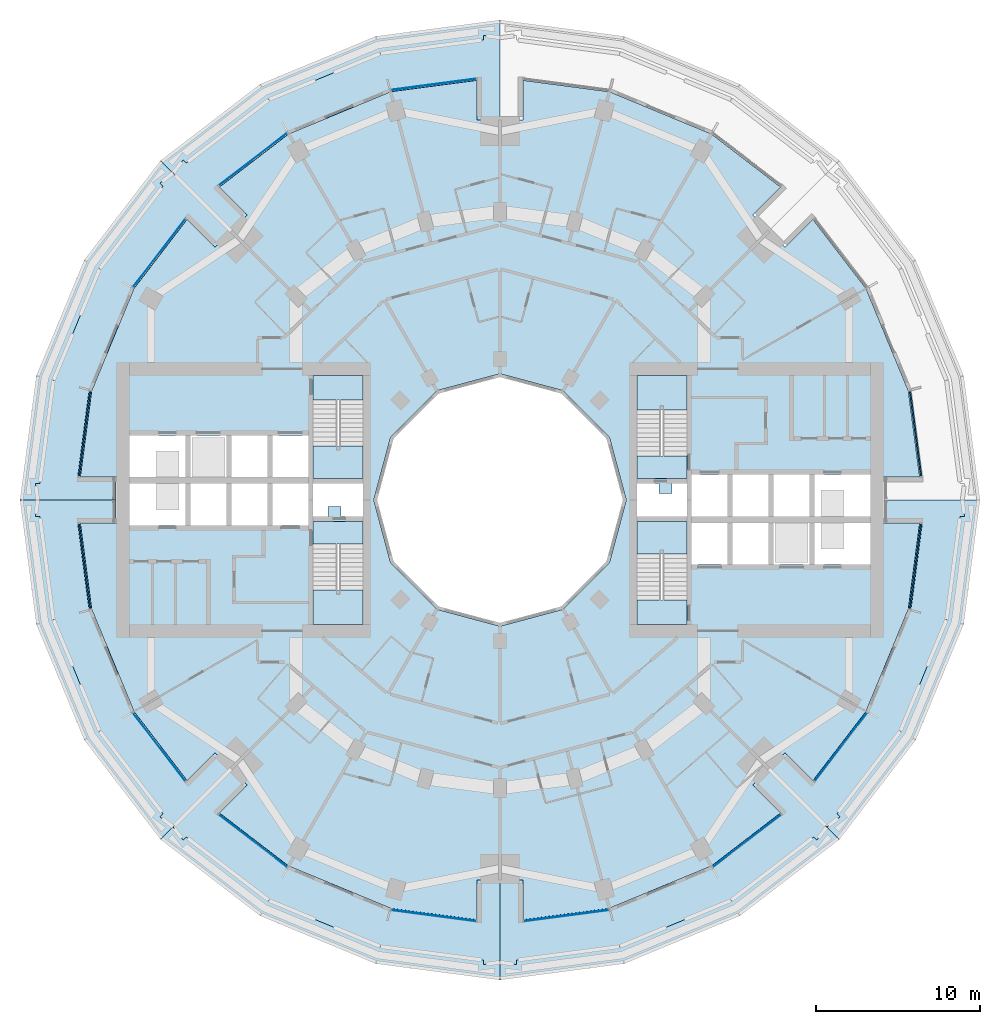
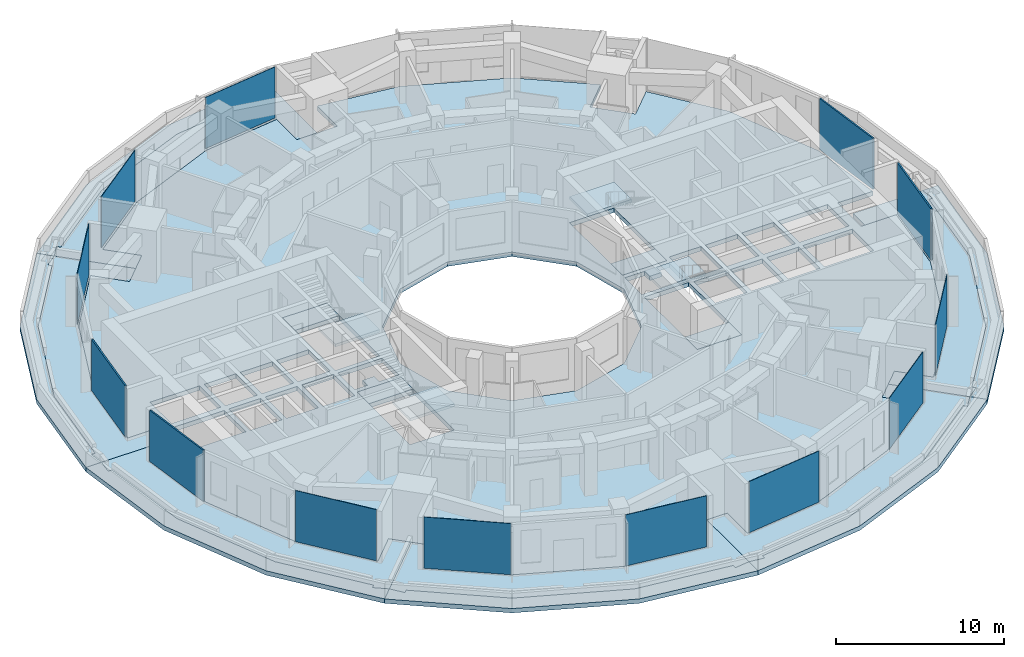
# One storey, part 8 of 19: 21 slabs, 13 plates, 17 elements without a shape of their own.
"""IFC4 building model written with IfcOpenShell, lengths in metres."""

from ifc_helpers import new_model, si_unit, direction, frame, origin, origin_2d, place, context, subcontext, project, spatial, polyline, rectangle, outline, extrude, material, layer, layer_set, type_object, element, aggregate, save


model = new_model("IFC4")

# Units and contexts
model_context = context("Model", 3, precision=1e-05, world=origin(), true_north=direction((0.0, 1.0)))
body_context = subcontext(model_context, "Body", "Model", "MODEL_VIEW")
ifc_project = project(units=[si_unit("LENGTHUNIT", "METRE"), si_unit("AREAUNIT", "SQUARE_METRE"), si_unit("VOLUMEUNIT", "CUBIC_METRE"), si_unit("PLANEANGLEUNIT", "RADIAN"), si_unit("MASSUNIT", "GRAM", prefix="KILO")], contexts=[model_context])

# Site, building, storey
site_placement = place(None, origin())
site = spatial("IfcSite", under=ifc_project, at=site_placement, CompositionType="ELEMENT")
building_placement = place(site_placement, origin())
building = spatial("IfcBuilding", under=site, at=building_placement, Name="Torre Brocal", CompositionType="ELEMENT")
storey_placement = place(building_placement, frame((0.0, 0.0, 28.800048828125)))
storey = spatial("IfcBuildingStorey", under=building, at=storey_placement, Name="L05", CompositionType="ELEMENT", Elevation=28.800048828125)

# Curtain wall, plate
ifc_material_1 = material(Name="Aluminium and glass", Category="aluminium")
ifc_layer_1 = layer(ifc_material_1, 0.199951171875)
ifc_layer_set_1 = layer_set([ifc_layer_1], Name="Aluminium and glass")
curtain_wall_type_1 = type_object("IfcCurtainWallType", Name="CW-1 CURTAIN WALL 3800 HIGH", PredefinedType="NOTDEFINED", material=ifc_layer_set_1)
curtain_wall_1_placement = place(storey_placement, origin())
curtain_wall_1 = element("IfcCurtainWall", 1, at=curtain_wall_1_placement, inside=storey, type_object=curtain_wall_type_1, Name="CW-1 RUN 7", PredefinedType="NOTDEFINED")
ifc_material_2 = material(Name="Glass, dark tinted laminated", Category="glass")
ifc_layer_2 = layer(ifc_material_2, 0.031982421875)
ifc_layer_set_2 = layer_set([ifc_layer_2], Name="Glass, dark tinted laminated")
plate_type_1 = type_object("IfcPlateType", Name="CW-1 GLASS PANEL 32", PredefinedType="CURTAIN_PANEL", material=ifc_layer_set_2)
plate_1_placement = place(storey_placement, frame((75.948486328125, 100.36572265625, 0.080078125), z_axis=(0.0, 0.0, 1.0), x_axis=(-0.991444861374, -0.13052619222, 0.0)))
plate_1 = element("IfcPlate", 2, at=plate_1_placement, type_object=plate_type_1, Name="CW1-1 panel 1.1", PredefinedType="CURTAIN_PANEL", context=body_context, shape_type="SweptSolid", body=[
    extrude(rectangle(XDim=5.22900390625, YDim=0.031982421875, at=origin_2d()), origin(), (0.0, 0.0, 1.0), 3.719970703125),
])
aggregate(curtain_wall_1, [plate_1])

curtain_wall_2_placement = place(storey_placement, origin())
curtain_wall_2 = element("IfcCurtainWall", 3, at=curtain_wall_2_placement, inside=storey, type_object=curtain_wall_type_1, Name="CW-1 RUN 9", PredefinedType="NOTDEFINED")
plate_2_placement = place(storey_placement, frame((64.9287109375, 95.80126953125, 0.080078125), z_axis=(0.0, 0.0, 1.0), x_axis=(-0.793353340259, -0.60876142905, 0.0)))
plate_2 = element("IfcPlate", 4, at=plate_2_placement, type_object=plate_type_1, Name="CW1-1 panel 1.1", PredefinedType="CURTAIN_PANEL", context=body_context, shape_type="SweptSolid", body=[
    extrude(rectangle(XDim=5.22900390625, YDim=0.031982421875, at=origin_2d()), origin(), (0.0, 0.0, 1.0), 3.719970703125),
])
aggregate(curtain_wall_2, [plate_2])

curtain_wall_3_placement = place(storey_placement, origin())
curtain_wall_3 = element("IfcCurtainWall", 5, at=curtain_wall_3_placement, inside=storey, type_object=curtain_wall_type_1, Name="CW-1 RUN 10", PredefinedType="NOTDEFINED")
plate_3_placement = place(storey_placement, frame((59.19873046875, 90.0712890625, 0.080078125), z_axis=(0.0, 0.0, 1.0), x_axis=(-0.60876142905, -0.793353340259, 0.0)))
plate_3 = element("IfcPlate", 6, at=plate_3_placement, type_object=plate_type_1, Name="CW1-1 panel 1.1", PredefinedType="CURTAIN_PANEL", context=body_context, shape_type="SweptSolid", body=[
    extrude(rectangle(XDim=5.22900390625, YDim=0.031982421875, at=origin_2d()), origin(), (0.0, 0.0, 1.0), 3.719970703125),
])
aggregate(curtain_wall_3, [plate_3])

curtain_wall_4_placement = place(storey_placement, origin())
curtain_wall_4 = element("IfcCurtainWall", 7, at=curtain_wall_4_placement, inside=storey, type_object=curtain_wall_type_1, Name="CW-1 RUN 15", PredefinedType="NOTDEFINED")
plate_4_placement = place(storey_placement, frame((59.19873046875, 59.9287109375, 0.080078125), z_axis=(0.0, 0.0, 1.0), x_axis=(0.60876142905, -0.793353340259, 0.0)))
plate_4 = element("IfcPlate", 8, at=plate_4_placement, type_object=plate_type_1, Name="CW1-1 panel 1.1", PredefinedType="CURTAIN_PANEL", context=body_context, shape_type="SweptSolid", body=[
    extrude(rectangle(XDim=5.22900390625, YDim=0.031982421875, at=origin_2d()), origin(), (0.0, 0.0, 1.0), 3.719970703125),
])
aggregate(curtain_wall_4, [plate_4])

curtain_wall_5_placement = place(storey_placement, origin())
curtain_wall_5 = element("IfcCurtainWall", 9, at=curtain_wall_5_placement, inside=storey, type_object=curtain_wall_type_1, Name="CW-1 RUN 16", PredefinedType="NOTDEFINED")
plate_5_placement = place(storey_placement, frame((64.9287109375, 54.19873046875, 0.080078125), z_axis=(0.0, 0.0, 1.0), x_axis=(0.793353340259, -0.60876142905, 0.0)))
plate_5 = element("IfcPlate", 10, at=plate_5_placement, type_object=plate_type_1, Name="CW1-1 panel 1.1", PredefinedType="CURTAIN_PANEL", context=body_context, shape_type="SweptSolid", body=[
    extrude(rectangle(XDim=5.22900390625, YDim=0.031982421875, at=origin_2d()), origin(), (0.0, 0.0, 1.0), 3.719970703125),
])
aggregate(curtain_wall_5, [plate_5])

curtain_wall_6_placement = place(storey_placement, origin())
curtain_wall_6 = element("IfcCurtainWall", 11, at=curtain_wall_6_placement, inside=storey, type_object=curtain_wall_type_1, Name="CW-1 RUN 18", PredefinedType="NOTDEFINED")
plate_6_placement = place(storey_placement, frame((75.948486328125, 49.63427734375, 0.080078125), z_axis=(0.0, 0.0, 1.0), x_axis=(0.991444861374, -0.13052619222, 0.0)))
plate_6 = element("IfcPlate", 12, at=plate_6_placement, type_object=plate_type_1, Name="CW1-1 panel 1.1", PredefinedType="CURTAIN_PANEL", context=body_context, shape_type="SweptSolid", body=[
    extrude(rectangle(XDim=5.22900390625, YDim=0.031982421875, at=origin_2d()), origin(), (0.0, 0.0, 1.0), 3.719970703125),
])
aggregate(curtain_wall_6, [plate_6])

curtain_wall_7_placement = place(storey_placement, origin())
curtain_wall_7 = element("IfcCurtainWall", 13, at=curtain_wall_7_placement, inside=storey, type_object=curtain_wall_type_1, Name="CW-1 RUN 19", PredefinedType="NOTDEFINED")
plate_7_placement = place(storey_placement, frame((84.051513671875, 49.63427734375, 0.080078125), z_axis=(0.0, 0.0, 1.0), x_axis=(0.991444861374, 0.13052619222, 0.0)))
plate_7 = element("IfcPlate", 14, at=plate_7_placement, type_object=plate_type_1, Name="CW1-1 panel 1.1", PredefinedType="CURTAIN_PANEL", context=body_context, shape_type="SweptSolid", body=[
    extrude(rectangle(XDim=5.22900390625, YDim=0.031982421875, at=origin_2d()), origin(), (0.0, 0.0, 1.0), 3.719970703125),
])
aggregate(curtain_wall_7, [plate_7])

curtain_wall_8_placement = place(storey_placement, origin())
curtain_wall_8 = element("IfcCurtainWall", 15, at=curtain_wall_8_placement, inside=storey, type_object=curtain_wall_type_1, Name="CW-1 RUN 21", PredefinedType="NOTDEFINED")
plate_8_placement = place(storey_placement, frame((95.0712890625, 54.19873046875, 0.080078125), z_axis=(0.0, 0.0, 1.0), x_axis=(0.793353340259, 0.60876142905, 0.0)))
plate_8 = element("IfcPlate", 16, at=plate_8_placement, type_object=plate_type_1, Name="CW1-1 panel 1.1", PredefinedType="CURTAIN_PANEL", context=body_context, shape_type="SweptSolid", body=[
    extrude(rectangle(XDim=5.22900390625, YDim=0.031982421875, at=origin_2d()), origin(), (0.0, 0.0, 1.0), 3.719970703125),
])
aggregate(curtain_wall_8, [plate_8])

curtain_wall_9_placement = place(storey_placement, origin())
curtain_wall_9 = element("IfcCurtainWall", 17, at=curtain_wall_9_placement, inside=storey, type_object=curtain_wall_type_1, Name="CW-1 RUN 22", PredefinedType="NOTDEFINED")
plate_9_placement = place(storey_placement, frame((100.80126953125, 59.9287109375, 0.080078125), z_axis=(0.0, 0.0, 1.0), x_axis=(0.60876142905, 0.793353340259, 0.0)))
plate_9 = element("IfcPlate", 18, at=plate_9_placement, type_object=plate_type_1, Name="CW1-1 panel 1.1", PredefinedType="CURTAIN_PANEL", context=body_context, shape_type="SweptSolid", body=[
    extrude(rectangle(XDim=5.22900390625, YDim=0.031982421875, at=origin_2d()), origin(), (0.0, 0.0, 1.0), 3.719970703125),
])
aggregate(curtain_wall_9, [plate_9])

ifc_material_3 = material(Name="Aluminium and glass", Category="aluminium")
ifc_layer_3 = layer(ifc_material_3, 0.199951171875)
ifc_layer_set_3 = layer_set([ifc_layer_3], Name="Aluminium and glass")
curtain_wall_type_2 = type_object("IfcCurtainWallType", Name="CW-1B CURTAIN WALL 3800 HIGH", PredefinedType="NOTDEFINED", material=ifc_layer_set_3)
curtain_wall_10_placement = place(storey_placement, origin())
curtain_wall_10 = element("IfcCurtainWall", 19, at=curtain_wall_10_placement, inside=storey, type_object=curtain_wall_type_2, Name="CW-1B RUN 1", PredefinedType="NOTDEFINED")
ifc_material_4 = material(Name="Aluminium composite panel", Category="aluminium")
ifc_layer_4 = layer(ifc_material_4, 0.10009765625)
ifc_layer_set_4 = layer_set([ifc_layer_4], Name="Aluminium composite panel")
plate_type_2 = type_object("IfcPlateType", Name="CW-1B OPAQUE PANEL 100", PredefinedType="CURTAIN_PANEL", material=ifc_layer_set_4)
plate_10_placement = place(storey_placement, frame((105.36572265625, 79.051513671875, 0.080078125), z_axis=(0.0, 0.0, 1.0), x_axis=(-0.13052619222, 0.991444861374, 0.0)))
plate_10 = element("IfcPlate", 20, at=plate_10_placement, type_object=plate_type_2, Name="CW1B-1 panel 1.1", PredefinedType="CURTAIN_PANEL", context=body_context, shape_type="SweptSolid", body=[
    extrude(rectangle(XDim=5.22900390625, YDim=0.10009765625, at=origin_2d()), origin(), (0.0, 0.0, 1.0), 3.719970703125),
])
aggregate(curtain_wall_10, [plate_10])

curtain_wall_11_placement = place(storey_placement, origin())
curtain_wall_11 = element("IfcCurtainWall", 21, at=curtain_wall_11_placement, inside=storey, type_object=curtain_wall_type_2, Name="CW-1B RUN 12", PredefinedType="NOTDEFINED")
plate_11_placement = place(storey_placement, frame((54.63427734375, 79.051513671875, 0.080078125), z_axis=(0.0, 0.0, 1.0), x_axis=(-0.13052619222, -0.991444861374, 0.0)))
plate_11 = element("IfcPlate", 22, at=plate_11_placement, type_object=plate_type_2, Name="CW1B-1 panel 1.1", PredefinedType="CURTAIN_PANEL", context=body_context, shape_type="SweptSolid", body=[
    extrude(rectangle(XDim=5.22900390625, YDim=0.10009765625, at=origin_2d()), origin(), (0.0, 0.0, 1.0), 3.719970703125),
])
aggregate(curtain_wall_11, [plate_11])

curtain_wall_12_placement = place(storey_placement, origin())
curtain_wall_12 = element("IfcCurtainWall", 23, at=curtain_wall_12_placement, inside=storey, type_object=curtain_wall_type_2, Name="CW-1B RUN 13", PredefinedType="NOTDEFINED")
plate_12_placement = place(storey_placement, frame((54.63427734375, 70.948486328125, 0.080078125), z_axis=(0.0, 0.0, 1.0), x_axis=(0.13052619222, -0.991444861374, 0.0)))
plate_12 = element("IfcPlate", 24, at=plate_12_placement, type_object=plate_type_2, Name="CW1B-1 panel 1.1", PredefinedType="CURTAIN_PANEL", context=body_context, shape_type="SweptSolid", body=[
    extrude(rectangle(XDim=5.22900390625, YDim=0.10009765625, at=origin_2d()), origin(), (0.0, 0.0, 1.0), 3.719970703125),
])
aggregate(curtain_wall_12, [plate_12])

curtain_wall_13_placement = place(storey_placement, origin())
curtain_wall_13 = element("IfcCurtainWall", 25, at=curtain_wall_13_placement, inside=storey, type_object=curtain_wall_type_2, Name="CW-1B RUN 24", PredefinedType="NOTDEFINED")
plate_13_placement = place(storey_placement, frame((105.36572265625, 70.948486328125, 0.080078125), z_axis=(0.0, 0.0, 1.0), x_axis=(0.13052619222, 0.991444861374, 0.0)))
plate_13 = element("IfcPlate", 26, at=plate_13_placement, type_object=plate_type_2, Name="CW1B-1 panel 1.1", PredefinedType="CURTAIN_PANEL", context=body_context, shape_type="SweptSolid", body=[
    extrude(rectangle(XDim=5.22900390625, YDim=0.10009765625, at=origin_2d()), origin(), (0.0, 0.0, 1.0), 3.719970703125),
])
aggregate(curtain_wall_13, [plate_13])

# Stair, slab
ifc_material_5 = material(Name="Concrete C50", Category="concrete")
stair_type = type_object("IfcStairType", Name="EXIT STAIR", PredefinedType="HALF_TURN_STAIR", material=ifc_material_5)
stair_1_placement = place(storey_placement, origin())
stair_1 = element("IfcStair", 27, at=stair_1_placement, inside=storey, type_object=stair_type, Name="EXIT STAIR ST1", PredefinedType="HALF_TURN_STAIR")
ifc_material_6 = material(Name="Concrete C50", Category="concrete")
ifc_layer_5 = layer(ifc_material_6, 0.320068359375)
ifc_layer_set_5 = layer_set([ifc_layer_5], Name="Concrete C50")
slab_type_1 = type_object("IfcSlabType", Name="FLOOR LANDING 320", PredefinedType="LANDING", material=ifc_layer_set_5)
slab_1_placement = place(storey_placement, frame((0.0, 0.0, -0.320068359375)))
slab_1 = element("IfcSlab", 28, at=slab_1_placement, type_object=slab_type_1, Name="ST1 landing 1", PredefinedType="LANDING", context=body_context, shape_type="SweptSolid", body=[
    extrude(outline(polyline([(88.35009765625, 76.300048828125), (91.39990234375, 76.300048828125), (91.39990234375, 77.699951171875), (88.35009765625, 77.699951171875), (88.35009765625, 76.300048828125)])), origin(), (0.0, 0.0, 1.0), 0.320068359375),
])

stair_2_placement = place(storey_placement, origin())
stair_2 = element("IfcStair", 29, at=stair_2_placement, inside=storey, type_object=stair_type, Name="EXIT STAIR ST2", PredefinedType="HALF_TURN_STAIR")
slab_2_placement = place(storey_placement, frame((0.0, 0.0, -0.320068359375)))
slab_2 = element("IfcSlab", 30, at=slab_2_placement, type_object=slab_type_1, Name="ST2 landing 1", PredefinedType="LANDING", context=body_context, shape_type="SweptSolid", body=[
    extrude(outline(polyline([(88.35009765625, 67.39990234375), (91.39990234375, 67.39990234375), (91.39990234375, 68.89990234375), (88.35009765625, 68.89990234375), (88.35009765625, 67.39990234375)])), origin(), (0.0, 0.0, 1.0), 0.320068359375),
])

stair_3_placement = place(storey_placement, origin())
stair_3 = element("IfcStair", 31, at=stair_3_placement, inside=storey, type_object=stair_type, Name="EXIT STAIR ST3", PredefinedType="HALF_TURN_STAIR")
slab_3_placement = place(storey_placement, frame((0.0, 0.0, -0.320068359375)))
slab_3 = element("IfcSlab", 32, at=slab_3_placement, type_object=slab_type_1, Name="ST3 landing 1", PredefinedType="LANDING", context=body_context, shape_type="SweptSolid", body=[
    extrude(outline(polyline([(71.64990234375, 73.699951171875), (68.60009765625, 73.699951171875), (68.60009765625, 72.300048828125), (71.64990234375, 72.300048828125), (71.64990234375, 73.699951171875)])), origin(), (0.0, 0.0, 1.0), 0.320068359375),
])

stair_4_placement = place(storey_placement, origin())
stair_4 = element("IfcStair", 33, at=stair_4_placement, inside=storey, type_object=stair_type, Name="EXIT STAIR ST4", PredefinedType="HALF_TURN_STAIR")
slab_4_placement = place(storey_placement, frame((0.0, 0.0, -0.320068359375)))
slab_4 = element("IfcSlab", 34, at=slab_4_placement, type_object=slab_type_1, Name="ST4 landing 1", PredefinedType="LANDING", context=body_context, shape_type="SweptSolid", body=[
    extrude(outline(polyline([(71.64990234375, 82.60009765625), (68.60009765625, 82.60009765625), (68.60009765625, 81.10009765625), (71.64990234375, 81.10009765625), (71.64990234375, 82.60009765625)])), origin(), (0.0, 0.0, 1.0), 0.320068359375),
])

# Slabs
ifc_material_7 = material(Name="Concrete C45", Category="concrete")
ifc_layer_6 = layer(ifc_material_7, 0.320068359375)
ifc_layer_set_6 = layer_set([ifc_layer_6], Name="Concrete C45")
slab_type_2 = type_object("IfcSlabType", Name="GREEN ROOF PLANTING BED SLAB 320 C45", PredefinedType="ROOF", material=ifc_layer_set_6)
slab_5_placement = place(storey_placement, frame((0.0, 0.0, -0.320068359375)))
element("IfcSlab", 35, at=slab_5_placement, inside=storey, type_object=slab_type_2, Name="Slab ST-07", PredefinedType="ROOF", context=body_context, shape_type="SweptSolid", body=[
    extrude(outline(polyline([(80.0, 104.29833984375), (80.0, 103.218994140625), (79.0, 103.3505859375), (79.0, 103.08740234375), (72.6962890625, 102.25732421875), (65.890625, 99.4384765625), (60.846435546875, 95.56787109375), (60.66015625, 95.754150390625), (60.046142578125, 94.953857421875), (59.282958984375, 95.717041015625), (65.350830078125, 100.373046875), (72.4169921875, 103.300048828125), (80.0, 104.29833984375)])), origin(), (0.0, 0.0, 1.0), 0.320068359375),
])
slab_6_placement = place(storey_placement, frame((0.0, 0.0, -0.320068359375)))
element("IfcSlab", 36, at=slab_6_placement, inside=storey, type_object=slab_type_2, Name="Slab ST-07", PredefinedType="ROOF", context=body_context, shape_type="SweptSolid", body=[
    extrude(outline(polyline([(59.282958984375, 95.717041015625), (60.046142578125, 94.953857421875), (59.245849609375, 94.33984375), (59.43212890625, 94.153564453125), (55.5615234375, 89.109375), (52.74267578125, 82.3037109375), (51.91259765625, 76.0), (51.6494140625, 76.0), (51.781005859375, 75.0), (50.70166015625, 75.0), (51.699951171875, 82.5830078125), (54.626953125, 89.649169921875), (59.282958984375, 95.717041015625)])), origin(), (0.0, 0.0, 1.0), 0.320068359375),
])
slab_7_placement = place(storey_placement, frame((0.0, 0.0, -0.320068359375)))
element("IfcSlab", 37, at=slab_7_placement, inside=storey, type_object=slab_type_2, Name="Slab ST-07", PredefinedType="ROOF", context=body_context, shape_type="SweptSolid", body=[
    extrude(outline(polyline([(50.70166015625, 75.0), (51.781005859375, 75.0), (51.6494140625, 74.0), (51.91259765625, 74.0), (52.74267578125, 67.6962890625), (55.5615234375, 60.890625), (59.43212890625, 55.846435546875), (59.245849609375, 55.66015625), (60.046142578125, 55.046142578125), (59.282958984375, 54.282958984375), (54.626953125, 60.350830078125), (51.699951171875, 67.4169921875), (50.70166015625, 75.0)])), origin(), (0.0, 0.0, 1.0), 0.320068359375),
])
slab_8_placement = place(storey_placement, frame((0.0, 0.0, -0.320068359375)))
element("IfcSlab", 38, at=slab_8_placement, inside=storey, type_object=slab_type_2, Name="Slab ST-07", PredefinedType="ROOF", context=body_context, shape_type="SweptSolid", body=[
    extrude(outline(polyline([(59.282958984375, 54.282958984375), (60.046142578125, 55.046142578125), (60.66015625, 54.245849609375), (60.846435546875, 54.43212890625), (65.890625, 50.5615234375), (72.6962890625, 47.74267578125), (79.0, 46.91259765625), (79.0, 46.6494140625), (80.0, 46.781005859375), (80.0, 45.70166015625), (72.4169921875, 46.699951171875), (65.350830078125, 49.626953125), (59.282958984375, 54.282958984375)])), origin(), (0.0, 0.0, 1.0), 0.320068359375),
])
slab_9_placement = place(storey_placement, frame((0.0, 0.0, -0.320068359375)))
element("IfcSlab", 39, at=slab_9_placement, inside=storey, type_object=slab_type_2, Name="Slab ST-07", PredefinedType="ROOF", context=body_context, shape_type="SweptSolid", body=[
    extrude(outline(polyline([(80.0, 45.70166015625), (80.0, 46.781005859375), (81.0, 46.6494140625), (81.0, 46.91259765625), (87.3037109375, 47.74267578125), (94.109375, 50.5615234375), (99.153564453125, 54.43212890625), (99.33984375, 54.245849609375), (99.953857421875, 55.046142578125), (100.717041015625, 54.282958984375), (94.649169921875, 49.626953125), (87.5830078125, 46.699951171875), (80.0, 45.70166015625)])), origin(), (0.0, 0.0, 1.0), 0.320068359375),
])
slab_10_placement = place(storey_placement, frame((0.0, 0.0, -0.320068359375)))
element("IfcSlab", 40, at=slab_10_placement, inside=storey, type_object=slab_type_2, Name="Slab ST-07", PredefinedType="ROOF", context=body_context, shape_type="SweptSolid", body=[
    extrude(outline(polyline([(100.754150390625, 55.66015625), (100.56787109375, 55.846435546875), (104.4384765625, 60.890625), (107.25732421875, 67.6962890625), (108.08740234375, 74.0), (108.3505859375, 74.0), (108.218994140625, 75.0), (109.29833984375, 75.0), (108.300048828125, 67.4169921875), (105.373046875, 60.350830078125), (100.717041015625, 54.282958984375), (99.953857421875, 55.046142578125), (100.754150390625, 55.66015625)])), origin(), (0.0, 0.0, 1.0), 0.320068359375),
])

# Slab
ifc_material_8 = material(Name="Concrete C50", Category="concrete")
ifc_layer_7 = layer(ifc_material_8, 0.199951171875)
ifc_layer_set_7 = layer_set([ifc_layer_7], Name="Concrete C50")
slab_type_3 = type_object("IfcSlabType", Name="MID LANDING +1900", PredefinedType="LANDING", material=ifc_layer_set_7)
slab_11_placement = place(storey_placement, frame((0.0, 0.0, 1.699951171875)))
slab_11 = element("IfcSlab", 41, at=slab_11_placement, type_object=slab_type_3, Name="ST1 landing 2", PredefinedType="LANDING", context=body_context, shape_type="SweptSolid", body=[
    extrude(outline(polyline([(88.35009765625, 80.5), (91.39990234375, 80.5), (91.39990234375, 82.60009765625), (88.35009765625, 82.60009765625), (88.35009765625, 80.5)])), origin(), (0.0, 0.0, 1.0), 0.199951171875),
])

aggregate(stair_1, [slab_1, slab_11])

slab_12_placement = place(storey_placement, frame((0.0, 0.0, 1.699951171875)))
slab_12 = element("IfcSlab", 42, at=slab_12_placement, type_object=slab_type_3, Name="ST2 landing 2", PredefinedType="LANDING", context=body_context, shape_type="SweptSolid", body=[
    extrude(outline(polyline([(88.35009765625, 71.699951171875), (91.39990234375, 71.699951171875), (91.39990234375, 73.699951171875), (88.35009765625, 73.699951171875), (88.35009765625, 71.699951171875)])), origin(), (0.0, 0.0, 1.0), 0.199951171875),
])

aggregate(stair_2, [slab_2, slab_12])

slab_13_placement = place(storey_placement, frame((0.0, 0.0, 1.699951171875)))
slab_13 = element("IfcSlab", 43, at=slab_13_placement, type_object=slab_type_3, Name="ST3 landing 2", PredefinedType="LANDING", context=body_context, shape_type="SweptSolid", body=[
    extrude(outline(polyline([(71.64990234375, 69.5), (68.60009765625, 69.5), (68.60009765625, 67.39990234375), (71.64990234375, 67.39990234375), (71.64990234375, 69.5)])), origin(), (0.0, 0.0, 1.0), 0.199951171875),
])

aggregate(stair_3, [slab_3, slab_13])

slab_14_placement = place(storey_placement, frame((0.0, 0.0, 1.699951171875)))
slab_14 = element("IfcSlab", 44, at=slab_14_placement, type_object=slab_type_3, Name="ST4 landing 2", PredefinedType="LANDING", context=body_context, shape_type="SweptSolid", body=[
    extrude(outline(polyline([(71.64990234375, 78.300048828125), (68.60009765625, 78.300048828125), (68.60009765625, 76.300048828125), (71.64990234375, 76.300048828125), (71.64990234375, 78.300048828125)])), origin(), (0.0, 0.0, 1.0), 0.199951171875),
])

aggregate(stair_4, [slab_4, slab_14])

# Slabs
ifc_material_9 = material(Name="Concrete C45", Category="concrete")
ifc_layer_8 = layer(ifc_material_9, 0.320068359375)
ifc_layer_set_8 = layer_set([ifc_layer_8], Name="Concrete C45")
slab_type_4 = type_object("IfcSlabType", Name="PT FLOOR SLAB 320 C45", PredefinedType="FLOOR", material=ifc_layer_set_8)
slab_15_placement = place(storey_placement, frame((0.0, 0.0, -0.320068359375)))
element("IfcSlab", 45, at=slab_15_placement, inside=storey, type_object=slab_type_4, Name="Slab ST-05", PredefinedType="FLOOR", context=body_context, shape_type="SweptSolid", body=[
    extrude(outline(polyline([(103.199951171875, 76.39990234375), (103.199951171875, 73.60009765625), (105.614013671875, 73.60009765625), (104.919189453125, 68.322998046875), (102.342041015625, 62.100830078125), (99.101806640625, 57.878173828125), (97.394775390625, 59.5849609375), (95.4150390625, 57.605224609375), (97.121826171875, 55.898193359375), (92.899169921875, 52.657958984375), (86.677001953125, 50.080810546875), (81.39990234375, 49.385986328125), (81.39990234375, 51.800048828125), (78.60009765625, 51.800048828125), (78.60009765625, 49.385986328125), (73.322998046875, 50.080810546875), (67.100830078125, 52.657958984375), (62.878173828125, 55.898193359375), (64.5849609375, 57.605224609375), (62.605224609375, 59.5849609375), (60.898193359375, 57.878173828125), (57.657958984375, 62.100830078125), (55.080810546875, 68.322998046875), (54.385986328125, 73.60009765625), (56.800048828125, 73.60009765625), (56.800048828125, 76.39990234375), (54.385986328125, 76.39990234375), (55.080810546875, 81.677001953125), (57.657958984375, 87.899169921875), (60.898193359375, 92.121826171875), (62.605224609375, 90.4150390625), (64.5849609375, 92.394775390625), (62.878173828125, 94.101806640625), (67.100830078125, 97.342041015625), (73.322998046875, 99.919189453125), (78.60009765625, 100.614013671875), (78.60009765625, 98.199951171875), (81.39990234375, 98.199951171875), (81.39990234375, 100.614013671875), (86.677001953125, 99.919189453125), (92.899169921875, 97.342041015625), (97.121826171875, 94.101806640625), (95.4150390625, 92.394775390625), (97.394775390625, 90.4150390625), (99.101806640625, 92.121826171875), (102.342041015625, 87.899169921875), (104.919189453125, 81.677001953125), (105.614013671875, 76.39990234375), (103.199951171875, 76.39990234375)]), holes=[polyline([(102.60009765625, 74.0), (102.60009765625, 76.550048828125), (99.199951171875, 76.550048828125), (99.199951171875, 74.0), (102.60009765625, 74.0)]), polyline([(102.60009765625, 71.050048828125), (102.60009765625, 73.60009765625), (99.199951171875, 73.60009765625), (99.199951171875, 71.050048828125), (102.60009765625, 71.050048828125)]), polyline([(98.89990234375, 76.550048828125), (96.699951171875, 76.550048828125), (96.699951171875, 74.0), (98.89990234375, 74.0), (98.89990234375, 76.550048828125)]), polyline([(98.89990234375, 71.050048828125), (98.89990234375, 73.60009765625), (96.699951171875, 73.60009765625), (96.699951171875, 71.050048828125), (98.89990234375, 71.050048828125)]), polyline([(96.39990234375, 73.60009765625), (94.199951171875, 73.60009765625), (94.199951171875, 71.050048828125), (96.39990234375, 71.050048828125), (96.39990234375, 73.60009765625)]), polyline([(96.39990234375, 74.0), (96.39990234375, 76.550048828125), (94.199951171875, 76.550048828125), (94.199951171875, 74.0), (96.39990234375, 74.0)]), polyline([(93.89990234375, 73.60009765625), (91.699951171875, 73.60009765625), (91.699951171875, 71.050048828125), (93.89990234375, 71.050048828125), (93.89990234375, 73.60009765625)]), polyline([(93.89990234375, 74.0), (93.89990234375, 76.550048828125), (91.699951171875, 76.550048828125), (91.699951171875, 74.0), (93.89990234375, 74.0)]), polyline([(91.39990234375, 76.300048828125), (91.39990234375, 82.60009765625), (88.35009765625, 82.60009765625), (88.35009765625, 76.300048828125), (91.39990234375, 76.300048828125)]), polyline([(91.39990234375, 73.699951171875), (88.35009765625, 73.699951171875), (88.35009765625, 67.39990234375), (91.39990234375, 67.39990234375), (91.39990234375, 73.699951171875)]), polyline([(89.699951171875, 76.0), (88.35009765625, 76.0), (88.35009765625, 74.0), (91.39990234375, 74.0), (91.39990234375, 76.0), (90.5, 76.0), (90.5, 75.39990234375), (89.699951171875, 75.39990234375), (89.699951171875, 76.0)]), polyline([(80.0, 82.70703125), (76.146484375, 81.674560546875), (73.325439453125, 78.853515625), (72.29296875, 75.0), (73.325439453125, 71.146484375), (76.146484375, 68.325439453125), (80.0, 67.29296875), (83.853515625, 68.325439453125), (86.674560546875, 71.146484375), (87.70703125, 75.0), (86.674560546875, 78.853515625), (83.853515625, 81.674560546875), (80.0, 82.70703125)]), polyline([(68.60009765625, 82.60009765625), (68.60009765625, 76.300048828125), (71.64990234375, 76.300048828125), (71.64990234375, 82.60009765625), (68.60009765625, 82.60009765625)]), polyline([(70.300048828125, 74.0), (71.64990234375, 74.0), (71.64990234375, 76.0), (68.60009765625, 76.0), (68.60009765625, 74.0), (69.5, 74.0), (69.5, 74.60009765625), (70.300048828125, 74.60009765625), (70.300048828125, 74.0)]), polyline([(68.60009765625, 67.39990234375), (71.64990234375, 67.39990234375), (71.64990234375, 73.699951171875), (68.60009765625, 73.699951171875), (68.60009765625, 67.39990234375)]), polyline([(66.10009765625, 78.949951171875), (66.10009765625, 76.39990234375), (68.300048828125, 76.39990234375), (68.300048828125, 78.949951171875), (66.10009765625, 78.949951171875)]), polyline([(66.10009765625, 76.0), (66.10009765625, 73.449951171875), (68.300048828125, 73.449951171875), (68.300048828125, 76.0), (66.10009765625, 76.0)]), polyline([(63.60009765625, 76.0), (63.60009765625, 73.449951171875), (65.800048828125, 73.449951171875), (65.800048828125, 76.0), (63.60009765625, 76.0)]), polyline([(63.60009765625, 76.39990234375), (65.800048828125, 76.39990234375), (65.800048828125, 78.949951171875), (63.60009765625, 78.949951171875), (63.60009765625, 76.39990234375)]), polyline([(61.10009765625, 78.949951171875), (61.10009765625, 76.39990234375), (63.300048828125, 76.39990234375), (63.300048828125, 78.949951171875), (61.10009765625, 78.949951171875)]), polyline([(61.10009765625, 73.449951171875), (63.300048828125, 73.449951171875), (63.300048828125, 76.0), (61.10009765625, 76.0), (61.10009765625, 73.449951171875)]), polyline([(57.39990234375, 73.449951171875), (60.800048828125, 73.449951171875), (60.800048828125, 76.0), (57.39990234375, 76.0), (57.39990234375, 73.449951171875)]), polyline([(57.39990234375, 78.949951171875), (57.39990234375, 76.39990234375), (60.800048828125, 76.39990234375), (60.800048828125, 78.949951171875), (57.39990234375, 78.949951171875)])]), origin(), (0.0, 0.0, 1.0), 0.320068359375),
])
ifc_material_10 = material(Name="Concrete C45", Category="concrete")
ifc_layer_9 = layer(ifc_material_10, 0.320068359375)
ifc_layer_set_9 = layer_set([ifc_layer_9], Name="Concrete C45")
slab_type_5 = type_object("IfcSlabType", Name="PT TERRACE SLAB 320 C45", PredefinedType="ROOF", material=ifc_layer_set_9)
slab_16_placement = place(storey_placement, frame((0.0, 0.0, -0.320068359375)))
element("IfcSlab", 46, at=slab_16_placement, inside=storey, type_object=slab_type_5, Name="Slab ST-06", PredefinedType="ROOF", context=body_context, shape_type="SweptSolid", body=[
    extrude(outline(polyline([(78.60009765625, 98.199951171875), (78.60009765625, 100.614013671875), (73.322998046875, 99.919189453125), (67.100830078125, 97.342041015625), (62.878173828125, 94.101806640625), (64.5849609375, 92.394775390625), (63.59521484375, 91.40478515625), (60.046142578125, 94.953857421875), (60.66015625, 95.754150390625), (60.846435546875, 95.56787109375), (65.890625, 99.4384765625), (72.6962890625, 102.25732421875), (79.0, 103.08740234375), (79.0, 103.3505859375), (80.0, 103.218994140625), (80.0, 98.199951171875), (78.60009765625, 98.199951171875)])), origin(), (0.0, 0.0, 1.0), 0.320068359375),
])
slab_17_placement = place(storey_placement, frame((0.0, 0.0, -0.320068359375)))
element("IfcSlab", 47, at=slab_17_placement, inside=storey, type_object=slab_type_5, Name="Slab ST-06", PredefinedType="ROOF", context=body_context, shape_type="SweptSolid", body=[
    extrude(outline(polyline([(62.605224609375, 90.4150390625), (60.898193359375, 92.121826171875), (57.657958984375, 87.899169921875), (55.080810546875, 81.677001953125), (54.385986328125, 76.39990234375), (56.550048828125, 76.39990234375), (56.550048828125, 75.0), (51.781005859375, 75.0), (51.6494140625, 76.0), (51.91259765625, 76.0), (52.74267578125, 82.3037109375), (55.5615234375, 89.109375), (59.43212890625, 94.153564453125), (59.245849609375, 94.33984375), (60.046142578125, 94.953857421875), (63.59521484375, 91.40478515625), (62.605224609375, 90.4150390625)])), origin(), (0.0, 0.0, 1.0), 0.320068359375),
])
slab_18_placement = place(storey_placement, frame((0.0, 0.0, -0.320068359375)))
element("IfcSlab", 48, at=slab_18_placement, inside=storey, type_object=slab_type_5, Name="Slab ST-06", PredefinedType="ROOF", context=body_context, shape_type="SweptSolid", body=[
    extrude(outline(polyline([(56.550048828125, 73.60009765625), (54.385986328125, 73.60009765625), (55.080810546875, 68.322998046875), (57.657958984375, 62.100830078125), (60.898193359375, 57.878173828125), (62.605224609375, 59.5849609375), (63.59521484375, 58.59521484375), (60.046142578125, 55.046142578125), (59.245849609375, 55.66015625), (59.43212890625, 55.846435546875), (55.5615234375, 60.890625), (52.74267578125, 67.6962890625), (51.91259765625, 74.0), (51.6494140625, 74.0), (51.781005859375, 75.0), (56.550048828125, 75.0), (56.550048828125, 73.60009765625)])), origin(), (0.0, 0.0, 1.0), 0.320068359375),
])
slab_19_placement = place(storey_placement, frame((0.0, 0.0, -0.320068359375)))
element("IfcSlab", 49, at=slab_19_placement, inside=storey, type_object=slab_type_5, Name="Slab ST-06", PredefinedType="ROOF", context=body_context, shape_type="SweptSolid", body=[
    extrude(outline(polyline([(64.5849609375, 57.605224609375), (62.878173828125, 55.898193359375), (67.100830078125, 52.657958984375), (73.322998046875, 50.080810546875), (78.60009765625, 49.385986328125), (78.60009765625, 51.800048828125), (80.0, 51.800048828125), (80.0, 46.781005859375), (79.0, 46.6494140625), (79.0, 46.91259765625), (72.6962890625, 47.74267578125), (65.890625, 50.5615234375), (60.846435546875, 54.43212890625), (60.66015625, 54.245849609375), (60.046142578125, 55.046142578125), (63.59521484375, 58.59521484375), (64.5849609375, 57.605224609375)])), origin(), (0.0, 0.0, 1.0), 0.320068359375),
])
slab_20_placement = place(storey_placement, frame((0.0, 0.0, -0.320068359375)))
element("IfcSlab", 50, at=slab_20_placement, inside=storey, type_object=slab_type_5, Name="Slab ST-06", PredefinedType="ROOF", context=body_context, shape_type="SweptSolid", body=[
    extrude(outline(polyline([(81.39990234375, 51.800048828125), (81.39990234375, 49.385986328125), (86.677001953125, 50.080810546875), (92.899169921875, 52.657958984375), (97.121826171875, 55.898193359375), (95.4150390625, 57.605224609375), (96.40478515625, 58.59521484375), (99.953857421875, 55.046142578125), (99.33984375, 54.245849609375), (99.153564453125, 54.43212890625), (94.109375, 50.5615234375), (87.3037109375, 47.74267578125), (81.0, 46.91259765625), (81.0, 46.6494140625), (80.0, 46.781005859375), (80.0, 51.800048828125), (81.39990234375, 51.800048828125)])), origin(), (0.0, 0.0, 1.0), 0.320068359375),
])
slab_21_placement = place(storey_placement, frame((0.0, 0.0, -0.320068359375)))
element("IfcSlab", 51, at=slab_21_placement, inside=storey, type_object=slab_type_5, Name="Slab ST-06", PredefinedType="ROOF", context=body_context, shape_type="SweptSolid", body=[
    extrude(outline(polyline([(97.394775390625, 59.5849609375), (99.101806640625, 57.878173828125), (102.342041015625, 62.100830078125), (104.919189453125, 68.322998046875), (105.614013671875, 73.60009765625), (103.449951171875, 73.60009765625), (103.449951171875, 75.0), (108.218994140625, 75.0), (108.3505859375, 74.0), (108.08740234375, 74.0), (107.25732421875, 67.6962890625), (104.4384765625, 60.890625), (100.56787109375, 55.846435546875), (100.754150390625, 55.66015625), (99.953857421875, 55.046142578125), (96.40478515625, 58.59521484375), (97.394775390625, 59.5849609375)])), origin(), (0.0, 0.0, 1.0), 0.320068359375),
])

save(model, "model.ifc")
